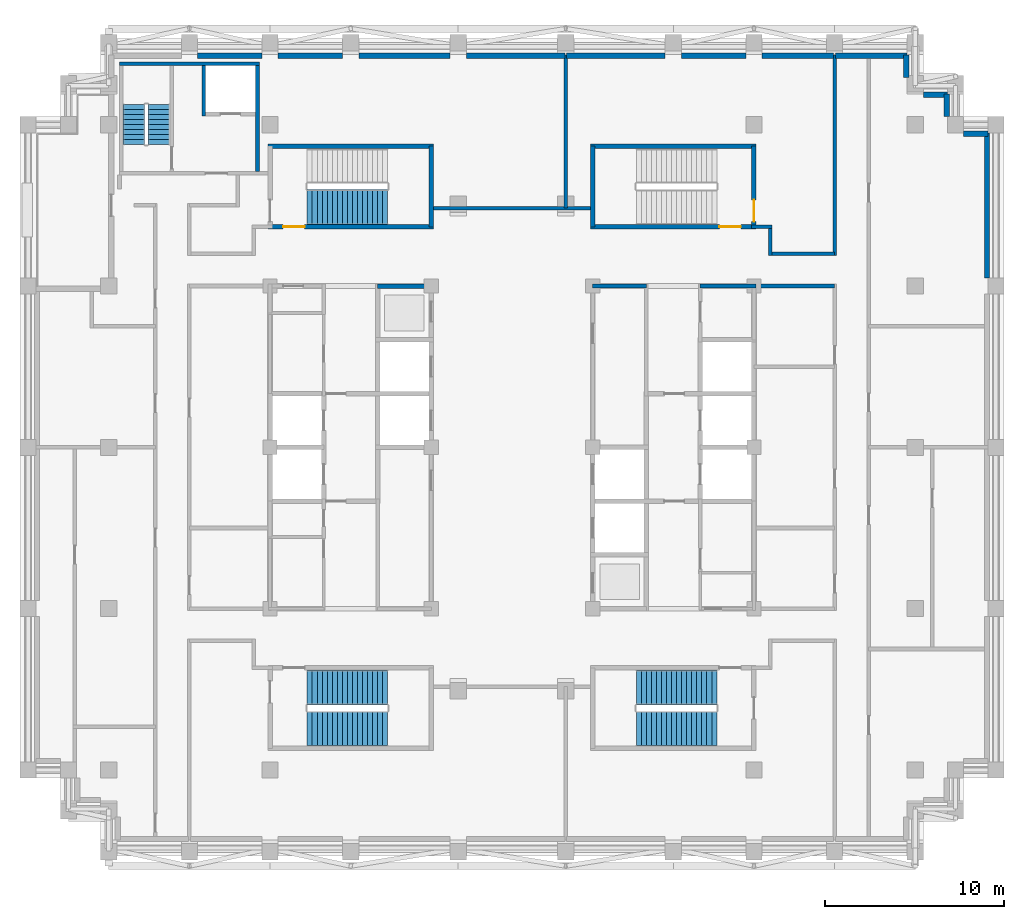
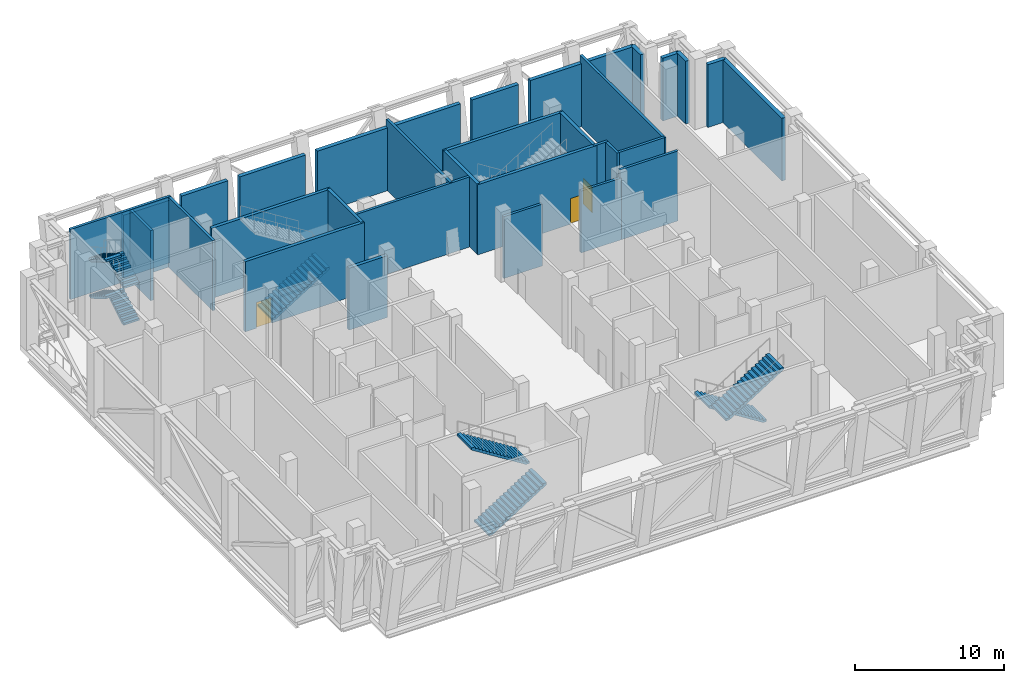
# One storey, part 7 of 11: 33 walls, 9 stair flights, 3 doors, 3 openings, 4 elements without a shape of their own.
"""IFC4 building model written with IfcOpenShell, lengths in metres."""

from ifc_helpers import new_model, si_unit, direction, frame, frame_2d, origin, place, context, subcontext, project, spatial, polyline, rectangle, outline, extrude, material, layer, layer_set, type_object, element, fill, aggregate, save


model = new_model("IFC4")

# Units and contexts
model_context = context("Model", 3, precision=1e-05, world=origin(), true_north=direction((0.0, 1.0)))
body_context = subcontext(model_context, "Body", "Model", "MODEL_VIEW")
ifc_project = project(units=[si_unit("LENGTHUNIT", "METRE"), si_unit("AREAUNIT", "SQUARE_METRE"), si_unit("VOLUMEUNIT", "CUBIC_METRE"), si_unit("PLANEANGLEUNIT", "RADIAN"), si_unit("MASSUNIT", "GRAM", prefix="KILO")], contexts=[model_context])

# Site, building, storey
site_placement = place(None, origin())
site = spatial("IfcSite", under=ifc_project, at=site_placement, CompositionType="ELEMENT")
building_placement = place(site_placement, origin())
building = spatial("IfcBuilding", under=site, at=building_placement, Name="Corbelhall Arena Tower", CompositionType="ELEMENT")
storey_placement = place(building_placement, frame((0.0, 0.0, 294.0)))
storey = spatial("IfcBuildingStorey", under=building, at=storey_placement, Name="L64", CompositionType="ELEMENT", Elevation=294.0)

# Walls
ifc_material_1 = material(Name="Precast concrete C40/50 with granite facing", Category="masonry")
ifc_layer_1 = layer(ifc_material_1, 0.300048828125)
ifc_layer_set_1 = layer_set([ifc_layer_1], Name="EV-IW1 Infill panel 300")
wall_type_1 = type_object("IfcWallType", Name="EV-IW1 Infill panel 300", PredefinedType="SOLIDWALL", material=ifc_layer_set_1)
wall_1_placement = place(storey_placement, frame((26.5, 9.449951171875, 0.0), z_axis=(0.0, 0.0, 1.0), x_axis=(0.0, 1.0, 0.0)))
element("IfcWall", 1, at=wall_1_placement, inside=storey, type_object=wall_type_1, Name="Infill panel IW1", PredefinedType="SOLIDWALL", context=body_context, shape_type="SweptSolid", body=[
    extrude(rectangle(XDim=8.10009765625, YDim=0.300048828125, at=frame_2d((4.050048828125, 0.0))), origin(), (0.0, 0.0, 1.0), 5.139892578125),
])
wall_2_placement = place(storey_placement, frame((26.550048828125, 17.5, 0.0), z_axis=(0.0, 0.0, 1.0), x_axis=(-1.0, 0.0, 0.0)))
element("IfcWall", 2, at=wall_2_placement, inside=storey, type_object=wall_type_1, Name="Infill panel IW1", PredefinedType="SOLIDWALL", context=body_context, shape_type="SweptSolid", body=[
    extrude(rectangle(XDim=1.35009765625, YDim=0.300048828125, at=frame_2d((0.675048828125, 0.0))), origin(), (0.0, 0.0, 1.0), 5.139892578125),
])
wall_3_placement = place(storey_placement, frame((24.25, 18.449951171875, 0.0), z_axis=(0.0, 0.0, 1.0), x_axis=(0.0, 1.0, 0.0)))
element("IfcWall", 3, at=wall_3_placement, inside=storey, type_object=wall_type_1, Name="Infill panel IW1", PredefinedType="SOLIDWALL", context=body_context, shape_type="SweptSolid", body=[
    extrude(rectangle(XDim=1.275146484375, YDim=0.300048828125, at=frame_2d((0.6376953125, 0.0))), origin(), (0.0, 0.0, 1.0), 5.139892578125),
])
wall_4_placement = place(storey_placement, frame((24.300048828125, 19.675048828125, 0.0), z_axis=(0.0, 0.0, 1.0), x_axis=(-1.0, 0.0, 0.0)))
element("IfcWall", 4, at=wall_4_placement, inside=storey, type_object=wall_type_1, Name="Infill panel IW1", PredefinedType="SOLIDWALL", context=body_context, shape_type="SweptSolid", body=[
    extrude(rectangle(XDim=1.35009765625, YDim=0.300048828125, at=frame_2d((0.675048828125, 0.0))), origin(), (0.0, 0.0, 1.0), 5.139892578125),
])
wall_5_placement = place(storey_placement, frame((22.0, 20.625, 0.0), z_axis=(0.0, 0.0, 1.0), x_axis=(0.0, 1.0, 0.0)))
element("IfcWall", 5, at=wall_5_placement, inside=storey, type_object=wall_type_1, Name="Infill panel IW1", PredefinedType="SOLIDWALL", context=body_context, shape_type="SweptSolid", body=[
    extrude(rectangle(XDim=1.27490234375, YDim=0.300048828125, at=frame_2d((0.637451171875, 0.0))), origin(), (0.0, 0.0, 1.0), 5.139892578125),
])
for number, where, z_axis, x_axis, name in (
    (6, (22.050048828125, 21.85009765625, 0.0), (0.0, 0.0, 1.0), (-1.0, 0.0, 0.0), "Infill panel IW1"),
    (7, (17.949951171875, 21.85009765625, 0.0), (0.0, 0.0, 1.0), (-1.0, 0.0, 0.0), "Infill panel IW1"),
):
    element("IfcWall", number, at=place(storey_placement, frame(where, z_axis=z_axis, x_axis=x_axis)), inside=storey, type_object=wall_type_1, Name=name, PredefinedType="SOLIDWALL", context=body_context, shape_type="SweptSolid", body=[
        extrude(rectangle(XDim=4.0, YDim=0.300048828125, at=frame_2d((2.0, 0.0))), origin(), (0.0, 0.0, 1.0), 5.139892578125),
    ])
wall_6_placement = place(storey_placement, frame((13.050048828125, 21.85009765625, 0.0), z_axis=(0.0, 0.0, 1.0), x_axis=(-1.0, 0.0, 0.0)))
element("IfcWall", 8, at=wall_6_placement, inside=storey, type_object=wall_type_1, Name="Infill panel IW1", PredefinedType="SOLIDWALL", context=body_context, shape_type="SweptSolid", body=[
    extrude(rectangle(XDim=3.60009765625, YDim=0.300048828125, at=frame_2d((1.800048828125, 0.0))), origin(), (0.0, 0.0, 1.0), 5.139892578125),
])
for number, where, z_axis, x_axis, name in (
    (9, (8.550048828125, 21.85009765625, 0.0), (0.0, 0.0, 1.0), (-1.0, 0.0, 0.0), "Infill panel IW1"),
    (10, (2.949951171875, 21.85009765625, 0.0), (0.0, 0.0, 1.0), (-1.0, 0.0, 0.0), "Infill panel IW1"),
):
    element("IfcWall", number, at=place(storey_placement, frame(where, z_axis=z_axis, x_axis=x_axis)), inside=storey, type_object=wall_type_1, Name=name, PredefinedType="SOLIDWALL", context=body_context, shape_type="SweptSolid", body=[
        extrude(rectangle(XDim=5.5, YDim=0.300048828125, at=frame_2d((2.75, 0.0))), origin(), (0.0, 0.0, 1.0), 5.139892578125),
    ])
wall_7_placement = place(storey_placement, frame((-3.449951171875, 21.85009765625, 0.0), z_axis=(0.0, 0.0, 1.0), x_axis=(-1.0, 0.0, 0.0)))
element("IfcWall", 11, at=wall_7_placement, inside=storey, type_object=wall_type_1, Name="Infill panel IW1", PredefinedType="SOLIDWALL", context=body_context, shape_type="SweptSolid", body=[
    extrude(rectangle(XDim=5.10009765625, YDim=0.300048828125, at=frame_2d((2.550048828125, 0.0))), origin(), (0.0, 0.0, 1.0), 5.139892578125),
])
for number, where, z_axis, x_axis, name in (
    (12, (-9.449951171875, 21.85009765625, 0.0), (0.0, 0.0, 1.0), (-1.0, 0.0, 0.0), "Infill panel IW1"),
    (13, (-13.949951171875, 21.85009765625, 0.0), (0.0, 0.0, 1.0), (-1.0, 0.0, 0.0), "Infill panel IW1"),
):
    element("IfcWall", number, at=place(storey_placement, frame(where, z_axis=z_axis, x_axis=x_axis)), inside=storey, type_object=wall_type_1, Name=name, PredefinedType="SOLIDWALL", context=body_context, shape_type="SweptSolid", body=[
        extrude(rectangle(XDim=3.60009765625, YDim=0.300048828125, at=frame_2d((1.800048828125, 0.0))), origin(), (0.0, 0.0, 1.0), 5.139892578125),
    ])
ifc_material_2 = material(Name="Gypsum board on steel stud, acoustic", Category="steel")
ifc_layer_2 = layer(ifc_material_2, 0.199951171875)
ifc_layer_set_2 = layer_set([ifc_layer_2], Name="IN-W-DM200")
wall_type_2 = type_object("IfcWallType", Name="IN-W-DM200", PredefinedType="PARTITIONING", material=ifc_layer_set_2)
wall_8_placement = place(storey_placement, frame((-4.5, 13.35009765625, 0.0), z_axis=(0.0, 0.0, 1.0), x_axis=(1.0, 0.0, 0.0)))
element("IfcWall", 14, at=wall_8_placement, inside=storey, type_object=wall_type_2, Name="Partition 023", PredefinedType="PARTITIONING", context=body_context, shape_type="SweptSolid", body=[
    extrude(rectangle(XDim=9.0, YDim=0.199951171875, at=frame_2d((4.5, 0.0))), origin(), (0.0, 0.0, 1.0), 5.739990234375),
])
wall_9_placement = place(storey_placement, frame((3.0, 21.89990234375, 0.0), z_axis=(0.0, 0.0, 1.0), x_axis=(0.0, -1.0, 0.0)))
element("IfcWall", 15, at=wall_9_placement, inside=storey, type_object=wall_type_2, Name="Partition 026", PredefinedType="PARTITIONING", context=body_context, shape_type="SweptSolid", body=[
    extrude(rectangle(XDim=8.5498046875, YDim=0.199951171875, at=frame_2d((4.27490234375, 0.0))), origin(), (0.0, 0.0, 1.0), 5.739990234375),
])
wall_10_placement = place(storey_placement, frame((13.375, 12.300048828125, 0.0), z_axis=(0.0, 0.0, 1.0), x_axis=(1.0, 0.0, 0.0)))
element("IfcWall", 16, at=wall_10_placement, inside=storey, type_object=wall_type_2, Name="Partition 027", PredefinedType="PARTITIONING", context=body_context, shape_type="SweptSolid", body=[
    extrude(rectangle(XDim=1.125, YDim=0.199951171875, at=frame_2d((0.5625, 0.0))), origin(), (0.0, 0.0, 1.0), 5.739990234375),
])
wall_11_placement = place(storey_placement, frame((18.0, 9.0, 0.0), z_axis=(0.0, 0.0, 1.0), x_axis=(-1.0, 0.0, 0.0)))
element("IfcWall", 17, at=wall_11_placement, inside=storey, type_object=wall_type_2, Name="Partition 033", PredefinedType="PARTITIONING", context=body_context, shape_type="SweptSolid", body=[
    extrude(rectangle(XDim=4.5, YDim=0.199951171875, at=frame_2d((2.25, 0.0))), origin(), (0.0, 0.0, 1.0), 5.739990234375),
])
wall_12_placement = place(storey_placement, frame((14.39990234375, 10.800048828125, 0.0), z_axis=(0.0, 0.0, 1.0), x_axis=(1.0, 0.0, 0.0)))
element("IfcWall", 18, at=wall_12_placement, inside=storey, type_object=wall_type_2, Name="Partition 034", PredefinedType="PARTITIONING", context=body_context, shape_type="SweptSolid", body=[
    extrude(rectangle(XDim=3.60009765625, YDim=0.199951171875, at=frame_2d((1.800048828125, 0.0))), origin(), (0.0, 0.0, 1.0), 5.739990234375),
])
wall_13_placement = place(storey_placement, frame((14.39990234375, 12.300048828125, 0.0), z_axis=(0.0, 0.0, 1.0), x_axis=(0.0, -1.0, 0.0)))
element("IfcWall", 19, at=wall_13_placement, inside=storey, type_object=wall_type_2, Name="Partition 035", PredefinedType="PARTITIONING", context=body_context, shape_type="SweptSolid", body=[
    extrude(rectangle(XDim=1.60009765625, YDim=0.199951171875, at=frame_2d((0.800048828125, 0.0))), origin(), (0.0, 0.0, 1.0), 5.739990234375),
])
wall_14_placement = place(storey_placement, frame((18.0, 10.699951171875, 0.0), z_axis=(0.0, 0.0, 1.0), x_axis=(0.0, 1.0, 0.0)))
element("IfcWall", 20, at=wall_14_placement, inside=storey, type_object=wall_type_2, Name="Partition 039", PredefinedType="PARTITIONING", context=body_context, shape_type="SweptSolid", body=[
    extrude(rectangle(XDim=11.199951171875, YDim=0.199951171875, at=frame_2d((5.60009765625, 0.0))), origin(), (0.0, 0.0, 1.0), 5.739990234375),
])
ifc_material_3 = material(Name="Concrete C40/50", Category="concrete")
ifc_layer_3 = layer(ifc_material_3, 0.199951171875)
ifc_layer_set_3 = layer_set([ifc_layer_3], Name="IN-W-EAR200")
wall_type_3 = type_object("IfcWallType", Name="IN-W-EAR200", PredefinedType="SOLIDWALL", material=ifc_layer_set_3)
wall_15_placement = place(storey_placement, frame((-21.89990234375, 21.39990234375, 0.0), z_axis=(0.0, 0.0, 1.0), x_axis=(1.0, 0.0, 0.0)))
element("IfcWall", 21, at=wall_15_placement, inside=storey, type_object=wall_type_3, Name="Fire service turret wall north", PredefinedType="SOLIDWALL", context=body_context, shape_type="SweptSolid", body=[
    extrude(rectangle(XDim=7.7998046875, YDim=0.199951171875, at=frame_2d((3.89990234375, 0.0))), origin(), (0.0, 0.0, 1.0), 5.739990234375),
])
wall_16_placement = place(storey_placement, frame((-14.199951171875, 15.39990234375, 0.0), z_axis=(0.0, 0.0, 1.0), x_axis=(0.0, 1.0, 0.0)))
element("IfcWall", 22, at=wall_16_placement, inside=storey, type_object=wall_type_3, Name="Fire service turret wall east", PredefinedType="SOLIDWALL", context=body_context, shape_type="SweptSolid", body=[
    extrude(rectangle(XDim=5.900146484375, YDim=0.199951171875, at=frame_2d((2.9501953125, 0.0))), origin(), (0.0, 0.0, 1.0), 5.739990234375),
])
wall_17_placement = place(storey_placement, frame((-17.199951171875, 18.5, 0.0), z_axis=(0.0, 0.0, 1.0), x_axis=(0.0, 1.0, 0.0)))
element("IfcWall", 23, at=wall_17_placement, inside=storey, type_object=wall_type_3, Name="Fire service turret wall hoistway west", PredefinedType="SOLIDWALL", context=body_context, shape_type="SweptSolid", body=[
    extrude(rectangle(XDim=2.800048828125, YDim=0.199951171875, at=frame_2d((1.39990234375, 0.0))), origin(), (0.0, 0.0, 1.0), 5.739990234375),
])
ifc_material_4 = material(Name="Concrete block wall", Category="concrete")
ifc_layer_4 = layer(ifc_material_4, 0.199951171875)
ifc_layer_set_4 = layer_set([ifc_layer_4], Name="IN-W-RS200 under beam 678 mm")
wall_type_4 = type_object("IfcWallType", Name="IN-W-RS200 under beam 678 mm", PredefinedType="SOLIDWALL", material=ifc_layer_set_4)
wall_18_placement = place(storey_placement, frame((4.5, 9.0, 0.0), z_axis=(0.0, 0.0, 1.0), x_axis=(1.0, 0.0, 0.0)))
element("IfcWall", 24, at=wall_18_placement, inside=storey, type_object=wall_type_4, Name="Partition 054", PredefinedType="SOLIDWALL", context=body_context, shape_type="SweptSolid", body=[
    extrude(rectangle(XDim=3.0, YDim=0.199951171875, at=frame_2d((1.5, 0.0))), origin(), (0.0, 0.0, 1.0), 5.061767578125),
])
wall_19_placement = place(storey_placement, frame((10.5, 9.0, 0.0), z_axis=(0.0, 0.0, 1.0), x_axis=(1.0, 0.0, 0.0)))
element("IfcWall", 25, at=wall_19_placement, inside=storey, type_object=wall_type_4, Name="Partition 057", PredefinedType="SOLIDWALL", context=body_context, shape_type="SweptSolid", body=[
    extrude(rectangle(XDim=3.10009765625, YDim=0.199951171875, at=frame_2d((1.550048828125, 0.0))), origin(), (0.0, 0.0, 1.0), 5.061767578125),
])
ifc_layer_5 = layer(ifc_material_3, 0.25)
ifc_layer_set_5 = layer_set([ifc_layer_5], Name="IN-W-SH250 under beam 678 mm")
wall_type_5 = type_object("IfcWallType", Name="IN-W-SH250 under beam 678 mm", PredefinedType="SOLIDWALL", material=ifc_layer_set_5)
wall_20_placement = place(storey_placement, frame((-7.5, 9.0, 0.0), z_axis=(0.0, 0.0, 1.0), x_axis=(1.0, 0.0, 0.0)))
element("IfcWall", 26, at=wall_20_placement, inside=storey, type_object=wall_type_5, Name="Shaft wall 069", PredefinedType="SOLIDWALL", context=body_context, shape_type="SweptSolid", body=[
    extrude(rectangle(XDim=3.0, YDim=0.25, at=frame_2d((1.5, 0.0))), origin(), (0.0, 0.0, 1.0), 5.061767578125),
])

# Wall, opening, door
ifc_layer_6 = layer(ifc_material_3, 0.25)
ifc_layer_set_6 = layer_set([ifc_layer_6], Name="IN-W-ST250")
wall_type_6 = type_object("IfcWallType", Name="IN-W-ST250", PredefinedType="SOLIDWALL", material=ifc_layer_set_6)
wall_21_placement = place(storey_placement, frame((-13.625, 12.300048828125, 0.0), z_axis=(0.0, 0.0, 1.0), x_axis=(1.0, 0.0, 0.0)))
wall_21 = element("IfcWall", 27, at=wall_21_placement, inside=storey, type_object=wall_type_6, Name="Shaft wall 082", PredefinedType="SOLIDWALL", context=body_context, shape_type="SweptSolid", body=[
    extrude(rectangle(XDim=9.25, YDim=0.25, at=frame_2d((4.625, 0.0))), origin(), (0.0, 0.0, 1.0), 5.739990234375),
])
opening_1_placement = place(wall_21_placement, frame((0.85009765625, 0.0, 0.0)))
opening_1 = element("IfcOpeningElement", 28, at=opening_1_placement, cuts=wall_21, Name="Opening 29013", PredefinedType="OPENING", context=body_context, shape_type="SweptSolid", body=[
    extrude(rectangle(XDim=1.199951171875, YDim=2.10009765625, at=frame_2d((0.60009765625, 1.050048828125))), frame((0.0, 0.125, 0.0), z_axis=(0.0, -1.0, 0.0), x_axis=(1.0, 0.0, 0.0)), (0.0, 0.0, 1.0), 0.25),
])
ifc_material_5 = material(Name="Steel door set", Category="steel")
door_type = type_object("IfcDoorType", Name="IN-D-ST120", OperationType="NOTDEFINED", PredefinedType="DOOR", material=ifc_material_5)
door_1_placement = place(opening_1_placement, origin())
door_1 = element("IfcDoor", 29, at=door_1_placement, inside=storey, type_object=door_type, Name="Door 013", OperationType="SINGLE_SWING_RIGHT", OverallHeight=2.10009765625, OverallWidth=1.199951171875, PredefinedType="DOOR", context=body_context, shape_type="SweptSolid", body=[
    extrude(rectangle(XDim=1.199951171875, YDim=2.10009765625, at=frame_2d((0.60009765625, 1.050048828125))), frame((0.0, 0.02490234375, 0.0), z_axis=(0.0, -1.0, 0.0), x_axis=(1.0, 0.0, 0.0)), (0.0, 0.0, 1.0), 0.050048828125),
])
fill(opening_1, door_1)

# Walls
wall_22_placement = place(storey_placement, frame((-13.625, 16.800048828125, 0.0), z_axis=(0.0, 0.0, 1.0), x_axis=(1.0, 0.0, 0.0)))
element("IfcWall", 30, at=wall_22_placement, inside=storey, type_object=wall_type_6, Name="Shaft wall 083", PredefinedType="SOLIDWALL", context=body_context, shape_type="SweptSolid", body=[
    extrude(rectangle(XDim=9.25, YDim=0.25, at=frame_2d((4.625, 0.0))), origin(), (0.0, 0.0, 1.0), 5.739990234375),
])
wall_23_placement = place(storey_placement, frame((-4.5, 16.800048828125, 0.0), z_axis=(0.0, 0.0, 1.0), x_axis=(0.0, -1.0, 0.0)))
element("IfcWall", 31, at=wall_23_placement, inside=storey, type_object=wall_type_6, Name="Shaft wall 088", PredefinedType="SOLIDWALL", context=body_context, shape_type="SweptSolid", body=[
    extrude(rectangle(XDim=4.5, YDim=0.25, at=frame_2d((2.25, 0.0))), origin(), (0.0, 0.0, 1.0), 5.739990234375),
])

# Wall, opening, door
wall_24_placement = place(storey_placement, frame((4.375, 12.300048828125, 0.0), z_axis=(0.0, 0.0, 1.0), x_axis=(1.0, 0.0, 0.0)))
wall_24 = element("IfcWall", 32, at=wall_24_placement, inside=storey, type_object=wall_type_6, Name="Shaft wall 090", PredefinedType="SOLIDWALL", context=body_context, shape_type="SweptSolid", body=[
    extrude(rectangle(XDim=9.25, YDim=0.25, at=frame_2d((4.625, 0.0))), origin(), (0.0, 0.0, 1.0), 5.739990234375),
])
opening_2_placement = place(wall_24_placement, frame((7.199951171875, 0.0, 0.0)))
opening_2 = element("IfcOpeningElement", 33, at=opening_2_placement, cuts=wall_24, Name="Opening 29015", PredefinedType="OPENING", context=body_context, shape_type="SweptSolid", body=[
    extrude(rectangle(XDim=1.199951171875, YDim=2.10009765625, at=frame_2d((0.60009765625, 1.050048828125))), frame((0.0, 0.125, 0.0), z_axis=(0.0, -1.0, 0.0), x_axis=(1.0, 0.0, 0.0)), (0.0, 0.0, 1.0), 0.25),
])
door_2_placement = place(opening_2_placement, origin())
door_2 = element("IfcDoor", 34, at=door_2_placement, inside=storey, type_object=door_type, Name="Door 015", OperationType="SINGLE_SWING_RIGHT", OverallHeight=2.10009765625, OverallWidth=1.199951171875, PredefinedType="DOOR", context=body_context, shape_type="SweptSolid", body=[
    extrude(rectangle(XDim=1.199951171875, YDim=2.10009765625, at=frame_2d((0.60009765625, 1.050048828125))), frame((0.0, 0.02490234375, 0.0), z_axis=(0.0, -1.0, 0.0), x_axis=(1.0, 0.0, 0.0)), (0.0, 0.0, 1.0), 0.050048828125),
])
fill(opening_2, door_2)

# Walls
wall_25_placement = place(storey_placement, frame((4.375, 16.800048828125, 0.0), z_axis=(0.0, 0.0, 1.0), x_axis=(1.0, 0.0, 0.0)))
element("IfcWall", 35, at=wall_25_placement, inside=storey, type_object=wall_type_6, Name="Shaft wall 091", PredefinedType="SOLIDWALL", context=body_context, shape_type="SweptSolid", body=[
    extrude(rectangle(XDim=9.25, YDim=0.25, at=frame_2d((4.625, 0.0))), origin(), (0.0, 0.0, 1.0), 5.739990234375),
])
wall_26_placement = place(storey_placement, frame((4.5, 12.300048828125, 0.0), z_axis=(0.0, 0.0, 1.0), x_axis=(0.0, 1.0, 0.0)))
element("IfcWall", 36, at=wall_26_placement, inside=storey, type_object=wall_type_6, Name="Shaft wall 093", PredefinedType="SOLIDWALL", context=body_context, shape_type="SweptSolid", body=[
    extrude(rectangle(XDim=4.5, YDim=0.25, at=frame_2d((2.25, 0.0))), origin(), (0.0, 0.0, 1.0), 5.739990234375),
])

# Wall, opening, door
wall_27_placement = place(storey_placement, frame((13.5, 16.800048828125, 0.0), z_axis=(0.0, 0.0, 1.0), x_axis=(0.0, -1.0, 0.0)))
wall_27 = element("IfcWall", 37, at=wall_27_placement, inside=storey, type_object=wall_type_6, Name="Shaft wall 096", PredefinedType="SOLIDWALL", context=body_context, shape_type="SweptSolid", body=[
    extrude(rectangle(XDim=4.5, YDim=0.25, at=frame_2d((2.25, 0.0))), origin(), (0.0, 0.0, 1.0), 5.739990234375),
])
opening_3_placement = place(wall_27_placement, frame((3.0, 0.0, 0.0)))
opening_3 = element("IfcOpeningElement", 38, at=opening_3_placement, cuts=wall_27, Name="Opening 29023", PredefinedType="OPENING", context=body_context, shape_type="SweptSolid", body=[
    extrude(rectangle(XDim=1.199951171875, YDim=2.10009765625, at=frame_2d((0.60009765625, 1.050048828125))), frame((0.0, 0.125, 0.0), z_axis=(0.0, -1.0, 0.0), x_axis=(1.0, 0.0, 0.0)), (0.0, 0.0, 1.0), 0.25),
])
door_3_placement = place(opening_3_placement, origin())
door_3 = element("IfcDoor", 39, at=door_3_placement, inside=storey, type_object=door_type, Name="Door 023", OperationType="SINGLE_SWING_RIGHT", OverallHeight=2.10009765625, OverallWidth=1.199951171875, PredefinedType="DOOR", context=body_context, shape_type="SweptSolid", body=[
    extrude(rectangle(XDim=1.199951171875, YDim=2.10009765625, at=frame_2d((0.60009765625, 1.050048828125))), frame((0.0, 0.02490234375, 0.0), z_axis=(0.0, -1.0, 0.0), x_axis=(1.0, 0.0, 0.0)), (0.0, 0.0, 1.0), 0.050048828125),
])
fill(opening_3, door_3)

# Stair, stair flight
stair_type = type_object("IfcStairType", Name="IN-ST-TOWER", PredefinedType="HALF_TURN_STAIR", material=ifc_material_3)
stair_1_placement = place(storey_placement, origin())
stair_1 = element("IfcStair", 40, at=stair_1_placement, inside=storey, type_object=stair_type, Name="L64 Exit stair ST1", PredefinedType="HALF_TURN_STAIR")
stair_flight_type = type_object("IfcStairFlightType", Name="IN-SFL-RC", PredefinedType="STRAIGHT", material=ifc_material_3)
stair_flight_1_placement = place(storey_placement, frame((-11.425048828125, 13.39990234375, 0.0), z_axis=(0.0, 0.0, 1.0), x_axis=(1.0, 0.0, 0.0)))
stair_flight_1 = element("IfcStairFlight", 41, at=stair_flight_1_placement, type_object=stair_flight_type, Name="ST1 flight 1", NumberOfRisers=17, NumberOfTreads=16, PredefinedType="STRAIGHT", RiserHeight=0.176470588, TreadLength=0.28, context=body_context, shape_type="SweptSolid", body=[
    extrude(outline(polyline([(0.0, 0.0), (0.0, 0.176513671875), (0.280029296875, 0.176513671875), (0.280029296875, 0.35302734375), (0.56005859375, 0.35302734375), (0.56005859375, 0.529296875), (0.840087890625, 0.529296875), (0.840087890625, 0.705810546875), (1.1201171875, 0.705810546875), (1.1201171875, 0.88232421875), (1.39990234375, 0.88232421875), (1.39990234375, 1.058837890625), (1.679931640625, 1.058837890625), (1.679931640625, 1.2353515625), (1.9599609375, 1.2353515625), (1.9599609375, 1.411865234375), (2.239990234375, 1.411865234375), (2.239990234375, 1.588134765625), (2.52001953125, 1.588134765625), (2.52001953125, 1.7646484375), (2.800048828125, 1.7646484375), (2.800048828125, 1.941162109375), (3.080078125, 1.941162109375), (3.080078125, 2.11767578125), (3.360107421875, 2.11767578125), (3.360107421875, 2.294189453125), (3.639892578125, 2.294189453125), (3.639892578125, 2.470703125), (3.919921875, 2.470703125), (3.919921875, 2.64697265625), (4.199951171875, 2.64697265625), (4.199951171875, 2.823486328125), (4.47998046875, 2.823486328125), (4.47998046875, 3.0), (4.47998046875, 2.646240234375), (0.28125, 0.0), (0.0, 0.0)])), frame((0.0, 0.97509765625, 0.0), z_axis=(0.0, -1.0, 0.0), x_axis=(1.0, 0.0, 0.0)), (0.0, 0.0, 1.0), 1.949951171875),
])
aggregate(stair_1, [stair_flight_1])

# Stair, stair flights
stair_2_placement = place(storey_placement, origin())
stair_2 = element("IfcStair", 42, at=stair_2_placement, inside=storey, type_object=stair_type, Name="L64 Exit stair ST2", PredefinedType="HALF_TURN_STAIR")
stair_flight_2_placement = place(storey_placement, frame((-11.425048828125, -15.699951171875, 0.0), z_axis=(0.0, 0.0, 1.0), x_axis=(1.0, 0.0, 0.0)))
stair_flight_2 = element("IfcStairFlight", 43, at=stair_flight_2_placement, type_object=stair_flight_type, Name="ST2 flight 1", NumberOfRisers=17, NumberOfTreads=16, PredefinedType="STRAIGHT", RiserHeight=0.176470588, TreadLength=0.28, context=body_context, shape_type="SweptSolid", body=[
    extrude(outline(polyline([(0.0, 0.0), (0.0, 0.176513671875), (0.280029296875, 0.176513671875), (0.280029296875, 0.35302734375), (0.56005859375, 0.35302734375), (0.56005859375, 0.529296875), (0.840087890625, 0.529296875), (0.840087890625, 0.705810546875), (1.1201171875, 0.705810546875), (1.1201171875, 0.88232421875), (1.39990234375, 0.88232421875), (1.39990234375, 1.058837890625), (1.679931640625, 1.058837890625), (1.679931640625, 1.2353515625), (1.9599609375, 1.2353515625), (1.9599609375, 1.411865234375), (2.239990234375, 1.411865234375), (2.239990234375, 1.588134765625), (2.52001953125, 1.588134765625), (2.52001953125, 1.7646484375), (2.800048828125, 1.7646484375), (2.800048828125, 1.941162109375), (3.080078125, 1.941162109375), (3.080078125, 2.11767578125), (3.360107421875, 2.11767578125), (3.360107421875, 2.294189453125), (3.639892578125, 2.294189453125), (3.639892578125, 2.470703125), (3.919921875, 2.470703125), (3.919921875, 2.64697265625), (4.199951171875, 2.64697265625), (4.199951171875, 2.823486328125), (4.47998046875, 2.823486328125), (4.47998046875, 3.0), (4.47998046875, 2.646240234375), (0.28125, 0.0), (0.0, 0.0)])), frame((0.0, 0.97509765625, 0.0), z_axis=(0.0, -1.0, 0.0), x_axis=(1.0, 0.0, 0.0)), (0.0, 0.0, 1.0), 1.949951171875),
])
stair_flight_3_placement = place(storey_placement, frame((-6.945068359375, -13.39990234375, 3.0), z_axis=(0.0, 0.0, 1.0), x_axis=(-1.0, 0.0, 0.0)))
stair_flight_3 = element("IfcStairFlight", 44, at=stair_flight_3_placement, type_object=stair_flight_type, Name="ST2 flight 2", NumberOfRisers=17, NumberOfTreads=16, PredefinedType="STRAIGHT", RiserHeight=0.176470588, TreadLength=0.28, context=body_context, shape_type="SweptSolid", body=[
    extrude(outline(polyline([(0.0, 0.0), (0.0, 0.176513671875), (0.280029296875, 0.176513671875), (0.280029296875, 0.35302734375), (0.56005859375, 0.35302734375), (0.56005859375, 0.529296875), (0.840087890625, 0.529296875), (0.840087890625, 0.705810546875), (1.1201171875, 0.705810546875), (1.1201171875, 0.88232421875), (1.39990234375, 0.88232421875), (1.39990234375, 1.058837890625), (1.679931640625, 1.058837890625), (1.679931640625, 1.2353515625), (1.9599609375, 1.2353515625), (1.9599609375, 1.411865234375), (2.239990234375, 1.411865234375), (2.239990234375, 1.588134765625), (2.52001953125, 1.588134765625), (2.52001953125, 1.7646484375), (2.800048828125, 1.7646484375), (2.800048828125, 1.941162109375), (3.080078125, 1.941162109375), (3.080078125, 2.11767578125), (3.360107421875, 2.11767578125), (3.360107421875, 2.294189453125), (3.639892578125, 2.294189453125), (3.639892578125, 2.470703125), (3.919921875, 2.470703125), (3.919921875, 2.64697265625), (4.199951171875, 2.64697265625), (4.199951171875, 2.823486328125), (4.47998046875, 2.823486328125), (4.47998046875, 3.0), (4.47998046875, 2.646240234375), (0.28125, 0.0), (0.0, 0.0)])), frame((0.0, 0.97509765625, 0.0), z_axis=(0.0, -1.0, 0.0), x_axis=(1.0, 0.0, 0.0)), (0.0, 0.0, 1.0), 1.949951171875),
])
aggregate(stair_2, [stair_flight_2, stair_flight_3])

stair_3_placement = place(storey_placement, origin())
stair_3 = element("IfcStair", 45, at=stair_3_placement, inside=storey, type_object=stair_type, Name="L64 Exit stair ST4", PredefinedType="HALF_TURN_STAIR")
stair_flight_4_placement = place(storey_placement, frame((11.425048828125, -13.39990234375, 0.0), z_axis=(0.0, 0.0, 1.0), x_axis=(-1.0, 0.0, 0.0)))
stair_flight_4 = element("IfcStairFlight", 46, at=stair_flight_4_placement, type_object=stair_flight_type, Name="ST4 flight 1", NumberOfRisers=17, NumberOfTreads=16, PredefinedType="STRAIGHT", RiserHeight=0.176470588, TreadLength=0.28, context=body_context, shape_type="SweptSolid", body=[
    extrude(outline(polyline([(0.0, 0.0), (0.0, 0.176513671875), (0.280029296875, 0.176513671875), (0.280029296875, 0.35302734375), (0.56005859375, 0.35302734375), (0.56005859375, 0.529296875), (0.840087890625, 0.529296875), (0.840087890625, 0.705810546875), (1.1201171875, 0.705810546875), (1.1201171875, 0.88232421875), (1.39990234375, 0.88232421875), (1.39990234375, 1.058837890625), (1.679931640625, 1.058837890625), (1.679931640625, 1.2353515625), (1.9599609375, 1.2353515625), (1.9599609375, 1.411865234375), (2.239990234375, 1.411865234375), (2.239990234375, 1.588134765625), (2.52001953125, 1.588134765625), (2.52001953125, 1.7646484375), (2.800048828125, 1.7646484375), (2.800048828125, 1.941162109375), (3.080078125, 1.941162109375), (3.080078125, 2.11767578125), (3.360107421875, 2.11767578125), (3.360107421875, 2.294189453125), (3.639892578125, 2.294189453125), (3.639892578125, 2.470703125), (3.919921875, 2.470703125), (3.919921875, 2.64697265625), (4.199951171875, 2.64697265625), (4.199951171875, 2.823486328125), (4.47998046875, 2.823486328125), (4.47998046875, 3.0), (4.47998046875, 2.646240234375), (0.28125, 0.0), (0.0, 0.0)])), frame((0.0, 0.97509765625, 0.0), z_axis=(0.0, -1.0, 0.0), x_axis=(1.0, 0.0, 0.0)), (0.0, 0.0, 1.0), 1.949951171875),
])
stair_flight_5_placement = place(storey_placement, frame((6.945068359375, -15.699951171875, 3.0), z_axis=(0.0, 0.0, 1.0), x_axis=(1.0, 0.0, 0.0)))
stair_flight_5 = element("IfcStairFlight", 47, at=stair_flight_5_placement, type_object=stair_flight_type, Name="ST4 flight 2", NumberOfRisers=17, NumberOfTreads=16, PredefinedType="STRAIGHT", RiserHeight=0.176470588, TreadLength=0.28, context=body_context, shape_type="SweptSolid", body=[
    extrude(outline(polyline([(0.0, 0.0), (0.0, 0.176513671875), (0.280029296875, 0.176513671875), (0.280029296875, 0.35302734375), (0.56005859375, 0.35302734375), (0.56005859375, 0.529296875), (0.840087890625, 0.529296875), (0.840087890625, 0.705810546875), (1.1201171875, 0.705810546875), (1.1201171875, 0.88232421875), (1.39990234375, 0.88232421875), (1.39990234375, 1.058837890625), (1.679931640625, 1.058837890625), (1.679931640625, 1.2353515625), (1.9599609375, 1.2353515625), (1.9599609375, 1.411865234375), (2.239990234375, 1.411865234375), (2.239990234375, 1.588134765625), (2.52001953125, 1.588134765625), (2.52001953125, 1.7646484375), (2.800048828125, 1.7646484375), (2.800048828125, 1.941162109375), (3.080078125, 1.941162109375), (3.080078125, 2.11767578125), (3.360107421875, 2.11767578125), (3.360107421875, 2.294189453125), (3.639892578125, 2.294189453125), (3.639892578125, 2.470703125), (3.919921875, 2.470703125), (3.919921875, 2.64697265625), (4.199951171875, 2.64697265625), (4.199951171875, 2.823486328125), (4.47998046875, 2.823486328125), (4.47998046875, 3.0), (4.47998046875, 2.646240234375), (0.28125, 0.0), (0.0, 0.0)])), frame((0.0, 0.97509765625, 0.0), z_axis=(0.0, -1.0, 0.0), x_axis=(1.0, 0.0, 0.0)), (0.0, 0.0, 1.0), 1.949951171875),
])
aggregate(stair_3, [stair_flight_4, stair_flight_5])

stair_4_placement = place(storey_placement, origin())
stair_4 = element("IfcStair", 48, at=stair_4_placement, inside=storey, type_object=stair_type, Name="L64 Exit stair ST5", PredefinedType="HALF_TURN_STAIR")
stair_flight_6_placement = place(storey_placement, frame((-19.695068359375, 16.89990234375, 0.0), z_axis=(0.0, 0.0, 1.0), x_axis=(0.0, 1.0, 0.0)))
stair_flight_6 = element("IfcStairFlight", 49, at=stair_flight_6_placement, type_object=stair_flight_type, Name="ST5 flight 1", NumberOfRisers=9, NumberOfTreads=8, PredefinedType="STRAIGHT", RiserHeight=0.166666667, TreadLength=0.28, context=body_context, shape_type="SweptSolid", body=[
    extrude(outline(polyline([(0.0, 0.0), (0.0, 0.166748046875), (0.280029296875, 0.166748046875), (0.280029296875, 0.333251953125), (0.56005859375, 0.333251953125), (0.56005859375, 0.5), (0.840087890625, 0.5), (0.840087890625, 0.666748046875), (1.1201171875, 0.666748046875), (1.1201171875, 0.833251953125), (1.39990234375, 0.833251953125), (1.39990234375, 1.0), (1.679931640625, 1.0), (1.679931640625, 1.166748046875), (1.9599609375, 1.166748046875), (1.9599609375, 1.333251953125), (2.239990234375, 1.333251953125), (2.239990234375, 1.5), (2.239990234375, 1.158935546875), (0.29296875, 0.0), (0.0, 0.0)])), frame((0.0, 0.60009765625, 0.0), z_axis=(0.0, -1.0, 0.0), x_axis=(1.0, 0.0, 0.0)), (0.0, 0.0, 1.0), 1.199951171875),
])
stair_flight_7_placement = place(storey_placement, frame((-21.094970703125, 19.139892578125, 1.5), z_axis=(0.0, 0.0, 1.0), x_axis=(0.0, -1.0, 0.0)))
stair_flight_7 = element("IfcStairFlight", 50, at=stair_flight_7_placement, type_object=stair_flight_type, Name="ST5 flight 2", NumberOfRisers=9, NumberOfTreads=8, PredefinedType="STRAIGHT", RiserHeight=0.166666667, TreadLength=0.28, context=body_context, shape_type="SweptSolid", body=[
    extrude(outline(polyline([(0.0, 0.0), (0.0, 0.166748046875), (0.280029296875, 0.166748046875), (0.280029296875, 0.333251953125), (0.56005859375, 0.333251953125), (0.56005859375, 0.5), (0.840087890625, 0.5), (0.840087890625, 0.666748046875), (1.1201171875, 0.666748046875), (1.1201171875, 0.833251953125), (1.39990234375, 0.833251953125), (1.39990234375, 1.0), (1.679931640625, 1.0), (1.679931640625, 1.166748046875), (1.9599609375, 1.166748046875), (1.9599609375, 1.333251953125), (2.239990234375, 1.333251953125), (2.239990234375, 1.5), (2.239990234375, 1.158935546875), (0.29296875, 0.0), (0.0, 0.0)])), frame((0.0, 0.60009765625, 0.0), z_axis=(0.0, -1.0, 0.0), x_axis=(1.0, 0.0, 0.0)), (0.0, 0.0, 1.0), 1.199951171875),
])
stair_flight_8_placement = place(storey_placement, frame((-19.695068359375, 16.89990234375, 3.0), z_axis=(0.0, 0.0, 1.0), x_axis=(0.0, 1.0, 0.0)))
stair_flight_8 = element("IfcStairFlight", 51, at=stair_flight_8_placement, type_object=stair_flight_type, Name="ST5 flight 3", NumberOfRisers=9, NumberOfTreads=8, PredefinedType="STRAIGHT", RiserHeight=0.166666667, TreadLength=0.28, context=body_context, shape_type="SweptSolid", body=[
    extrude(outline(polyline([(0.0, 0.0), (0.0, 0.166748046875), (0.280029296875, 0.166748046875), (0.280029296875, 0.333251953125), (0.56005859375, 0.333251953125), (0.56005859375, 0.5), (0.840087890625, 0.5), (0.840087890625, 0.666748046875), (1.1201171875, 0.666748046875), (1.1201171875, 0.833251953125), (1.39990234375, 0.833251953125), (1.39990234375, 1.0), (1.679931640625, 1.0), (1.679931640625, 1.166748046875), (1.9599609375, 1.166748046875), (1.9599609375, 1.333251953125), (2.239990234375, 1.333251953125), (2.239990234375, 1.5), (2.239990234375, 1.158935546875), (0.29296875, 0.0), (0.0, 0.0)])), frame((0.0, 0.60009765625, 0.0), z_axis=(0.0, -1.0, 0.0), x_axis=(1.0, 0.0, 0.0)), (0.0, 0.0, 1.0), 1.199951171875),
])
stair_flight_9_placement = place(storey_placement, frame((-21.094970703125, 19.139892578125, 4.5), z_axis=(0.0, 0.0, 1.0), x_axis=(0.0, -1.0, 0.0)))
stair_flight_9 = element("IfcStairFlight", 52, at=stair_flight_9_placement, type_object=stair_flight_type, Name="ST5 flight 4", NumberOfRisers=9, NumberOfTreads=8, PredefinedType="STRAIGHT", RiserHeight=0.166666667, TreadLength=0.28, context=body_context, shape_type="SweptSolid", body=[
    extrude(outline(polyline([(0.0, 0.0), (0.0, 0.166748046875), (0.280029296875, 0.166748046875), (0.280029296875, 0.333251953125), (0.56005859375, 0.333251953125), (0.56005859375, 0.5), (0.840087890625, 0.5), (0.840087890625, 0.666748046875), (1.1201171875, 0.666748046875), (1.1201171875, 0.833251953125), (1.39990234375, 0.833251953125), (1.39990234375, 1.0), (1.679931640625, 1.0), (1.679931640625, 1.166748046875), (1.9599609375, 1.166748046875), (1.9599609375, 1.333251953125), (2.239990234375, 1.333251953125), (2.239990234375, 1.5), (2.239990234375, 1.158935546875), (0.29296875, 0.0), (0.0, 0.0)])), frame((0.0, 0.60009765625, 0.0), z_axis=(0.0, -1.0, 0.0), x_axis=(1.0, 0.0, 0.0)), (0.0, 0.0, 1.0), 1.199951171875),
])
aggregate(stair_4, [stair_flight_6, stair_flight_7, stair_flight_8, stair_flight_9])

save(model, "model.ifc")
